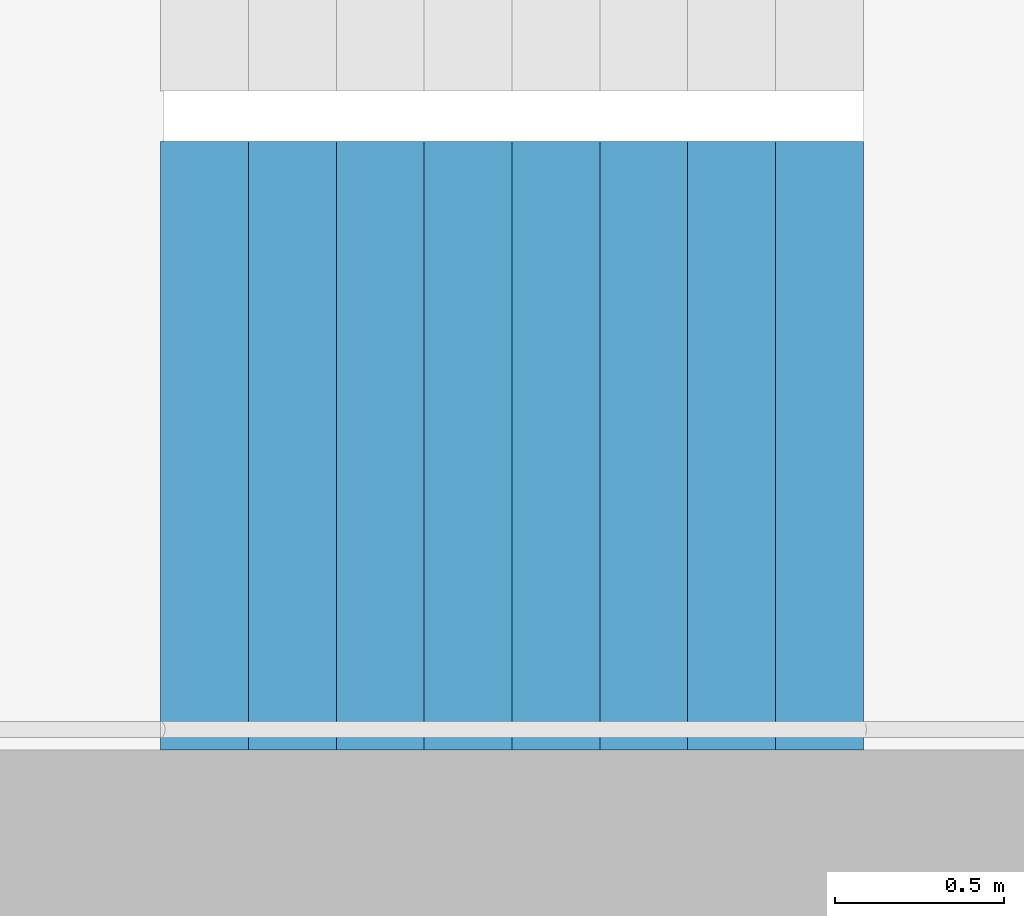
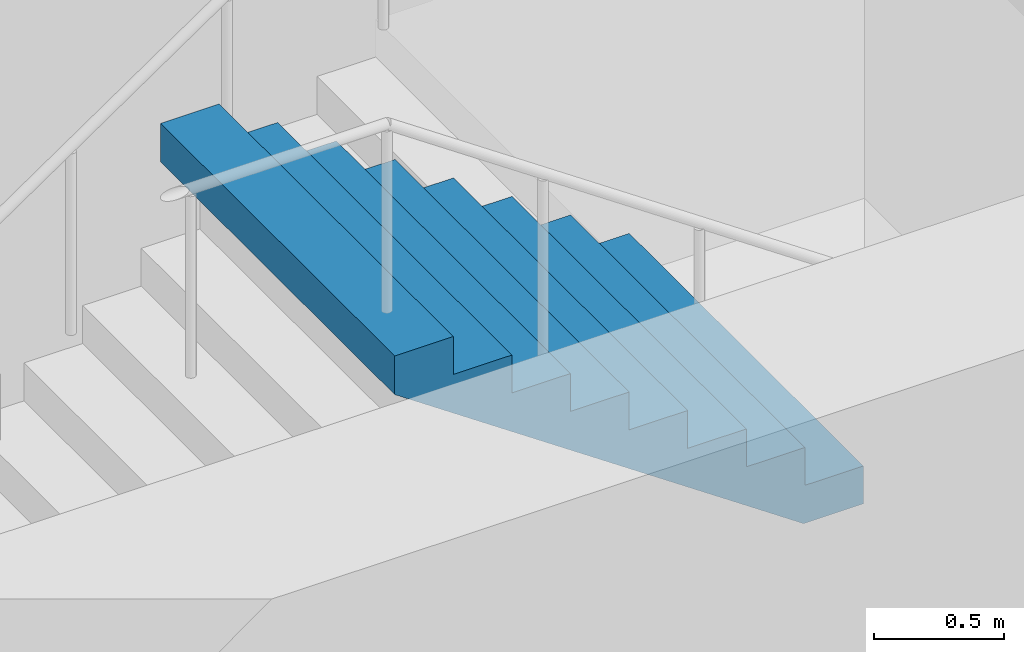
# One storey, part 37 of 42: 1 stair flight, 1 element without a shape of its own.
"""IFC4 building model written with IfcOpenShell, lengths in metres."""

from ifc_helpers import new_model, si_unit, direction, frame, origin, place, context, subcontext, project, spatial, triangles, material, type_object, element, aggregate, save


model = new_model("IFC4")

# Units and contexts
model_context = context("Model", 3, precision=1e-05, world=origin(), true_north=direction((0.0, 1.0)))
body_context = subcontext(model_context, "Body", "Model", "MODEL_VIEW")
ifc_project = project(units=[si_unit("LENGTHUNIT", "METRE"), si_unit("AREAUNIT", "SQUARE_METRE"), si_unit("VOLUMEUNIT", "CUBIC_METRE"), si_unit("PLANEANGLEUNIT", "RADIAN"), si_unit("MASSUNIT", "GRAM", prefix="KILO")], contexts=[model_context])

# Site, building, storey
site_placement = place(None, origin())
site = spatial("IfcSite", under=ifc_project, at=site_placement, CompositionType="ELEMENT")
building_placement = place(site_placement, origin())
building = spatial("IfcBuilding", under=site, at=building_placement, Name="Hakoniwa Tower and Hamabe Station Hall", CompositionType="ELEMENT")
storey_placement = place(building_placement, frame((0.0, 0.0, 19.800048828125)))
storey = spatial("IfcBuildingStorey", under=building, at=storey_placement, Name="L04", CompositionType="ELEMENT", Elevation=19.800048828125)

# Stair, stair flight
ifc_material_1 = material(Name="Concrete C40", Category="concrete")
stair_type = type_object("IfcStairType", Name="ESCAPE STAIR 1800", PredefinedType="HALF_TURN_STAIR", material=ifc_material_1)
stair_placement = place(storey_placement, origin())
stair = element("IfcStair", 1, at=stair_placement, inside=storey, type_object=stair_type, Name="Escape stair ST-4 L04", PredefinedType="HALF_TURN_STAIR")
ifc_material_2 = material(Name="Concrete C40", Category="concrete")
stair_flight_type = type_object("IfcStairFlightType", Name="STAIR FLIGHT 1800", PredefinedType="STRAIGHT", material=ifc_material_2)
stair_flight_placement = place(storey_placement, frame((25.47998046875, -6.60009765625, 1.599853515625), z_axis=(0.0, 0.0, 1.0), x_axis=(-1.0, 0.0, 0.0)))
stair_flight = element("IfcStairFlight", 2, at=stair_flight_placement, type_object=stair_flight_type, Name="ST-4 flight 2", NumberOfRisers=9, NumberOfTreads=8, PredefinedType="STRAIGHT", RiserHeight=0.177777778, TreadLength=0.26, context=body_context, shape_type="Tessellation", body=[
    triangles([(0.0, 0.89990234375, 0.0), (0.260009765625, 0.89990234375, 0.0), (0.265625, 0.89990234375, 0.0), (0.52001953125, 0.89990234375, 0.174072265625), (0.780029296875, 0.89990234375, 0.351806640625), (1.0400390625, 0.89990234375, 0.529541015625), (1.300048828125, 0.89990234375, 0.707275390625), (1.56005859375, 0.89990234375, 0.885009765625), (1.820068359375, 0.89990234375, 1.062744140625), (2.080078125, 0.89990234375, 1.24072265625), (2.080078125, 0.89990234375, 1.422119140625), (1.820068359375, 0.89990234375, 1.422119140625), (1.820068359375, 0.89990234375, 1.244384765625), (1.56005859375, 0.89990234375, 1.244384765625), (1.56005859375, 0.89990234375, 1.066650390625), (1.300048828125, 0.89990234375, 1.066650390625), (1.300048828125, 0.89990234375, 0.888916015625), (1.0400390625, 0.89990234375, 0.888916015625), (1.0400390625, 0.89990234375, 0.711181640625), (0.780029296875, 0.89990234375, 0.711181640625), (0.780029296875, 0.89990234375, 0.533447265625), (0.52001953125, 0.89990234375, 0.533447265625), (0.52001953125, 0.89990234375, 0.35546875), (0.265625, 0.89990234375, 0.35546875), (0.260009765625, 0.89990234375, 0.35546875), (0.260009765625, 0.89990234375, 0.177734375), (0.0, 0.89990234375, 0.177734375), (0.0, 0.06005859375, 0.0), (0.260009765625, 0.06005859375, 0.0), (0.265625, 0.06005859375, 0.0), (0.52001953125, 0.06005859375, 0.174072265625), (0.780029296875, 0.06005859375, 0.351806640625), (1.0400390625, 0.06005859375, 0.529541015625), (1.300048828125, 0.06005859375, 0.707275390625), (1.56005859375, 0.06005859375, 0.885009765625), (1.820068359375, 0.06005859375, 1.062744140625), (2.080078125, 0.06005859375, 1.24072265625), (2.080078125, 0.06005859375, 1.422119140625), (1.820068359375, 0.06005859375, 1.422119140625), (1.820068359375, 0.06005859375, 1.244384765625), (1.56005859375, 0.06005859375, 1.244384765625), (1.56005859375, 0.06005859375, 1.066650390625), (1.300048828125, 0.06005859375, 1.066650390625), (1.300048828125, 0.06005859375, 0.888916015625), (1.0400390625, 0.06005859375, 0.888916015625), (1.0400390625, 0.06005859375, 0.711181640625), (0.780029296875, 0.06005859375, 0.711181640625), (0.780029296875, 0.06005859375, 0.533447265625), (0.52001953125, 0.06005859375, 0.533447265625), (0.52001953125, 0.06005859375, 0.35546875), (0.265625, 0.06005859375, 0.35546875), (0.260009765625, 0.06005859375, 0.35546875), (0.260009765625, 0.06005859375, 0.177734375), (0.0, 0.06005859375, 0.177734375), (0.0, 0.04296875, 0.0), (0.260009765625, 0.04296875, 0.0), (0.265625, 0.04296875, 0.0), (0.52001953125, 0.04296875, 0.174072265625), (0.780029296875, 0.04296875, 0.351806640625), (1.0400390625, 0.04296875, 0.529541015625), (1.300048828125, 0.04296875, 0.707275390625), (1.56005859375, 0.04296875, 0.885009765625), (1.820068359375, 0.04296875, 1.062744140625), (2.080078125, 0.04296875, 1.24072265625), (2.080078125, 0.04296875, 1.422119140625), (1.820068359375, 0.04296875, 1.422119140625), (1.820068359375, 0.04296875, 1.244384765625), (1.56005859375, 0.04296875, 1.244384765625), (1.56005859375, 0.04296875, 1.066650390625), (1.300048828125, 0.04296875, 1.066650390625), (1.300048828125, 0.04296875, 0.888916015625), (1.0400390625, 0.04296875, 0.888916015625), (1.0400390625, 0.04296875, 0.711181640625), (0.780029296875, 0.04296875, 0.711181640625), (0.780029296875, 0.04296875, 0.533447265625), (0.52001953125, 0.04296875, 0.533447265625), (0.52001953125, 0.04296875, 0.35546875), (0.265625, 0.04296875, 0.35546875), (0.260009765625, 0.04296875, 0.35546875), (0.260009765625, 0.04296875, 0.177734375), (0.0, 0.04296875, 0.177734375), (0.0, 0.025634765625, 0.0), (0.260009765625, 0.025634765625, 0.0), (0.265625, 0.025634765625, 0.0), (0.52001953125, 0.025634765625, 0.174072265625), (0.780029296875, 0.025634765625, 0.351806640625), (1.0400390625, 0.025634765625, 0.529541015625), (1.300048828125, 0.025634765625, 0.707275390625), (1.56005859375, 0.025634765625, 0.885009765625), (1.820068359375, 0.025634765625, 1.062744140625), (2.080078125, 0.025634765625, 1.24072265625), (2.080078125, 0.025634765625, 1.422119140625), (1.820068359375, 0.025634765625, 1.422119140625), (1.820068359375, 0.025634765625, 1.244384765625), (1.56005859375, 0.025634765625, 1.244384765625), (1.56005859375, 0.025634765625, 1.066650390625), (1.300048828125, 0.025634765625, 1.066650390625), (1.300048828125, 0.025634765625, 0.888916015625), (1.0400390625, 0.025634765625, 0.888916015625), (1.0400390625, 0.025634765625, 0.711181640625), (0.780029296875, 0.025634765625, 0.711181640625), (0.780029296875, 0.025634765625, 0.533447265625), (0.52001953125, 0.025634765625, 0.533447265625), (0.52001953125, 0.025634765625, 0.35546875), (0.265625, 0.025634765625, 0.35546875), (0.260009765625, 0.025634765625, 0.35546875), (0.260009765625, 0.025634765625, 0.177734375), (0.0, 0.025634765625, 0.177734375), (0.0, 0.008544921875, 0.0), (0.260009765625, 0.008544921875, 0.0), (0.265625, 0.008544921875, 0.0), (0.52001953125, 0.008544921875, 0.174072265625), (0.780029296875, 0.008544921875, 0.351806640625), (1.0400390625, 0.008544921875, 0.529541015625), (1.300048828125, 0.008544921875, 0.707275390625), (1.56005859375, 0.008544921875, 0.885009765625), (1.820068359375, 0.008544921875, 1.062744140625), (2.080078125, 0.008544921875, 1.24072265625), (2.080078125, 0.008544921875, 1.422119140625), (1.820068359375, 0.008544921875, 1.422119140625), (1.820068359375, 0.008544921875, 1.244384765625), (1.56005859375, 0.008544921875, 1.244384765625), (1.56005859375, 0.008544921875, 1.066650390625), (1.300048828125, 0.008544921875, 1.066650390625), (1.300048828125, 0.008544921875, 0.888916015625), (1.0400390625, 0.008544921875, 0.888916015625), (1.0400390625, 0.008544921875, 0.711181640625), (0.780029296875, 0.008544921875, 0.711181640625), (0.780029296875, 0.008544921875, 0.533447265625), (0.52001953125, 0.008544921875, 0.533447265625), (0.52001953125, 0.008544921875, 0.35546875), (0.265625, 0.008544921875, 0.35546875), (0.260009765625, 0.008544921875, 0.35546875), (0.260009765625, 0.008544921875, 0.177734375), (0.0, 0.008544921875, 0.177734375), (0.0, -0.008544921875, 0.0), (0.260009765625, -0.008544921875, 0.0), (0.265625, -0.008544921875, 0.0), (0.52001953125, -0.008544921875, 0.174072265625), (0.780029296875, -0.008544921875, 0.351806640625), (1.0400390625, -0.008544921875, 0.529541015625), (1.300048828125, -0.008544921875, 0.707275390625), (1.56005859375, -0.008544921875, 0.885009765625), (1.820068359375, -0.008544921875, 1.062744140625), (2.080078125, -0.008544921875, 1.24072265625), (2.080078125, -0.008544921875, 1.422119140625), (1.820068359375, -0.008544921875, 1.422119140625), (1.820068359375, -0.008544921875, 1.244384765625), (1.56005859375, -0.008544921875, 1.244384765625), (1.56005859375, -0.008544921875, 1.066650390625), (1.300048828125, -0.008544921875, 1.066650390625), (1.300048828125, -0.008544921875, 0.888916015625), (1.0400390625, -0.008544921875, 0.888916015625), (1.0400390625, -0.008544921875, 0.711181640625), (0.780029296875, -0.008544921875, 0.711181640625), (0.780029296875, -0.008544921875, 0.533447265625), (0.52001953125, -0.008544921875, 0.533447265625), (0.52001953125, -0.008544921875, 0.35546875), (0.265625, -0.008544921875, 0.35546875), (0.260009765625, -0.008544921875, 0.35546875), (0.260009765625, -0.008544921875, 0.177734375), (0.0, -0.008544921875, 0.177734375), (0.0, -0.025634765625, 0.0), (0.260009765625, -0.025634765625, 0.0), (0.265625, -0.025634765625, 0.0), (0.52001953125, -0.025634765625, 0.174072265625), (0.780029296875, -0.025634765625, 0.351806640625), (1.0400390625, -0.025634765625, 0.529541015625), (1.300048828125, -0.025634765625, 0.707275390625), (1.56005859375, -0.025634765625, 0.885009765625), (1.820068359375, -0.025634765625, 1.062744140625), (2.080078125, -0.025634765625, 1.24072265625), (2.080078125, -0.025634765625, 1.422119140625), (1.820068359375, -0.025634765625, 1.422119140625), (1.820068359375, -0.025634765625, 1.244384765625), (1.56005859375, -0.025634765625, 1.244384765625), (1.56005859375, -0.025634765625, 1.066650390625), (1.300048828125, -0.025634765625, 1.066650390625), (1.300048828125, -0.025634765625, 0.888916015625), (1.0400390625, -0.025634765625, 0.888916015625), (1.0400390625, -0.025634765625, 0.711181640625), (0.780029296875, -0.025634765625, 0.711181640625), (0.780029296875, -0.025634765625, 0.533447265625), (0.52001953125, -0.025634765625, 0.533447265625), (0.52001953125, -0.025634765625, 0.35546875), (0.265625, -0.025634765625, 0.35546875), (0.260009765625, -0.025634765625, 0.35546875), (0.260009765625, -0.025634765625, 0.177734375), (0.0, -0.025634765625, 0.177734375), (0.0, -0.04296875, 0.0), (0.260009765625, -0.04296875, 0.0), (0.265625, -0.04296875, 0.0), (0.52001953125, -0.04296875, 0.174072265625), (0.780029296875, -0.04296875, 0.351806640625), (1.0400390625, -0.04296875, 0.529541015625), (1.300048828125, -0.04296875, 0.707275390625), (1.56005859375, -0.04296875, 0.885009765625), (1.820068359375, -0.04296875, 1.062744140625), (2.080078125, -0.04296875, 1.24072265625), (2.080078125, -0.04296875, 1.422119140625), (1.820068359375, -0.04296875, 1.422119140625), (1.820068359375, -0.04296875, 1.244384765625), (1.56005859375, -0.04296875, 1.244384765625), (1.56005859375, -0.04296875, 1.066650390625), (1.300048828125, -0.04296875, 1.066650390625), (1.300048828125, -0.04296875, 0.888916015625), (1.0400390625, -0.04296875, 0.888916015625), (1.0400390625, -0.04296875, 0.711181640625), (0.780029296875, -0.04296875, 0.711181640625), (0.780029296875, -0.04296875, 0.533447265625), (0.52001953125, -0.04296875, 0.533447265625), (0.52001953125, -0.04296875, 0.35546875), (0.265625, -0.04296875, 0.35546875), (0.260009765625, -0.04296875, 0.35546875), (0.260009765625, -0.04296875, 0.177734375), (0.0, -0.04296875, 0.177734375), (0.0, -0.06005859375, 0.0), (0.260009765625, -0.06005859375, 0.0), (0.265625, -0.06005859375, 0.0), (0.52001953125, -0.06005859375, 0.174072265625), (0.780029296875, -0.06005859375, 0.351806640625), (1.0400390625, -0.06005859375, 0.529541015625), (1.300048828125, -0.06005859375, 0.707275390625), (1.56005859375, -0.06005859375, 0.885009765625), (1.820068359375, -0.06005859375, 1.062744140625), (2.080078125, -0.06005859375, 1.24072265625), (2.080078125, -0.06005859375, 1.422119140625), (1.820068359375, -0.06005859375, 1.422119140625), (1.820068359375, -0.06005859375, 1.244384765625), (1.56005859375, -0.06005859375, 1.244384765625), (1.56005859375, -0.06005859375, 1.066650390625), (1.300048828125, -0.06005859375, 1.066650390625), (1.300048828125, -0.06005859375, 0.888916015625), (1.0400390625, -0.06005859375, 0.888916015625), (1.0400390625, -0.06005859375, 0.711181640625), (0.780029296875, -0.06005859375, 0.711181640625), (0.780029296875, -0.06005859375, 0.533447265625), (0.52001953125, -0.06005859375, 0.533447265625), (0.52001953125, -0.06005859375, 0.35546875), (0.265625, -0.06005859375, 0.35546875), (0.260009765625, -0.06005859375, 0.35546875), (0.260009765625, -0.06005859375, 0.177734375), (0.0, -0.06005859375, 0.177734375), (0.0, -0.89990234375, 0.0), (0.260009765625, -0.89990234375, 0.0), (0.265625, -0.89990234375, 0.0), (0.52001953125, -0.89990234375, 0.174072265625), (0.780029296875, -0.89990234375, 0.351806640625), (1.0400390625, -0.89990234375, 0.529541015625), (1.300048828125, -0.89990234375, 0.707275390625), (1.56005859375, -0.89990234375, 0.885009765625), (1.820068359375, -0.89990234375, 1.062744140625), (2.080078125, -0.89990234375, 1.24072265625), (2.080078125, -0.89990234375, 1.422119140625), (1.820068359375, -0.89990234375, 1.422119140625), (1.820068359375, -0.89990234375, 1.244384765625), (1.56005859375, -0.89990234375, 1.244384765625), (1.56005859375, -0.89990234375, 1.066650390625), (1.300048828125, -0.89990234375, 1.066650390625), (1.300048828125, -0.89990234375, 0.888916015625), (1.0400390625, -0.89990234375, 0.888916015625), (1.0400390625, -0.89990234375, 0.711181640625), (0.780029296875, -0.89990234375, 0.711181640625), (0.780029296875, -0.89990234375, 0.533447265625), (0.52001953125, -0.89990234375, 0.533447265625), (0.52001953125, -0.89990234375, 0.35546875), (0.265625, -0.89990234375, 0.35546875), (0.260009765625, -0.89990234375, 0.35546875), (0.260009765625, -0.89990234375, 0.177734375), (0.0, -0.89990234375, 0.177734375)], [[2, 27, 26], [245, 269, 270], [2, 1, 27], [245, 270, 244], [3, 25, 24], [246, 267, 268], [3, 26, 25], [246, 268, 269], [3, 2, 26], [246, 269, 245], [4, 24, 23], [247, 266, 267], [4, 3, 24], [247, 267, 246], [5, 22, 21], [248, 264, 265], [5, 23, 22], [248, 265, 266], [5, 4, 23], [248, 266, 247], [6, 20, 19], [249, 262, 263], [6, 21, 20], [249, 263, 264], [6, 5, 21], [249, 264, 248], [7, 18, 17], [250, 260, 261], [7, 19, 18], [250, 261, 262], [7, 6, 19], [250, 262, 249], [8, 16, 15], [251, 258, 259], [8, 17, 16], [251, 259, 260], [8, 7, 17], [251, 260, 250], [9, 14, 13], [252, 256, 257], [9, 15, 14], [252, 257, 258], [9, 8, 15], [252, 258, 251], [10, 12, 11], [253, 254, 255], [10, 13, 12], [253, 255, 256], [10, 9, 13], [253, 256, 252], [1, 2, 29], [1, 29, 28], [28, 29, 56], [28, 56, 55], [55, 56, 83], [55, 83, 82], [82, 83, 110], [82, 110, 109], [109, 110, 137], [109, 137, 136], [136, 137, 164], [136, 164, 163], [163, 164, 191], [163, 191, 190], [190, 191, 218], [190, 218, 217], [217, 218, 245], [217, 245, 244], [2, 3, 30], [2, 30, 29], [29, 30, 57], [29, 57, 56], [56, 57, 84], [56, 84, 83], [83, 84, 111], [83, 111, 110], [110, 111, 138], [110, 138, 137], [137, 138, 165], [137, 165, 164], [164, 165, 192], [164, 192, 191], [191, 192, 219], [191, 219, 218], [218, 219, 246], [218, 246, 245], [3, 4, 31], [3, 31, 30], [30, 31, 58], [30, 58, 57], [57, 58, 85], [57, 85, 84], [84, 85, 112], [84, 112, 111], [111, 112, 139], [111, 139, 138], [138, 139, 166], [138, 166, 165], [165, 166, 193], [165, 193, 192], [192, 193, 220], [192, 220, 219], [219, 220, 247], [219, 247, 246], [4, 5, 32], [4, 32, 31], [31, 32, 59], [31, 59, 58], [58, 59, 86], [58, 86, 85], [85, 86, 113], [85, 113, 112], [112, 113, 140], [112, 140, 139], [139, 140, 167], [139, 167, 166], [166, 167, 194], [166, 194, 193], [193, 194, 221], [193, 221, 220], [220, 221, 248], [220, 248, 247], [5, 6, 33], [5, 33, 32], [32, 33, 60], [32, 60, 59], [59, 60, 87], [59, 87, 86], [86, 87, 114], [86, 114, 113], [113, 114, 141], [113, 141, 140], [140, 141, 168], [140, 168, 167], [167, 168, 195], [167, 195, 194], [194, 195, 222], [194, 222, 221], [221, 222, 249], [221, 249, 248], [6, 7, 34], [6, 34, 33], [33, 34, 61], [33, 61, 60], [60, 61, 88], [60, 88, 87], [87, 88, 115], [87, 115, 114], [114, 115, 142], [114, 142, 141], [141, 142, 169], [141, 169, 168], [168, 169, 196], [168, 196, 195], [195, 196, 223], [195, 223, 222], [222, 223, 250], [222, 250, 249], [7, 8, 35], [7, 35, 34], [34, 35, 62], [34, 62, 61], [61, 62, 89], [61, 89, 88], [88, 89, 116], [88, 116, 115], [115, 116, 143], [115, 143, 142], [142, 143, 170], [142, 170, 169], [169, 170, 197], [169, 197, 196], [196, 197, 224], [196, 224, 223], [223, 224, 251], [223, 251, 250], [8, 9, 36], [8, 36, 35], [35, 36, 63], [35, 63, 62], [62, 63, 90], [62, 90, 89], [89, 90, 117], [89, 117, 116], [116, 117, 144], [116, 144, 143], [143, 144, 171], [143, 171, 170], [170, 171, 198], [170, 198, 197], [197, 198, 225], [197, 225, 224], [224, 225, 252], [224, 252, 251], [9, 10, 37], [9, 37, 36], [36, 37, 64], [36, 64, 63], [63, 64, 91], [63, 91, 90], [90, 91, 118], [90, 118, 117], [117, 118, 145], [117, 145, 144], [144, 145, 172], [144, 172, 171], [171, 172, 199], [171, 199, 198], [198, 199, 226], [198, 226, 225], [225, 226, 253], [225, 253, 252], [10, 11, 38], [10, 38, 37], [37, 38, 65], [37, 65, 64], [64, 65, 92], [64, 92, 91], [91, 92, 119], [91, 119, 118], [118, 119, 146], [118, 146, 145], [145, 146, 173], [145, 173, 172], [172, 173, 200], [172, 200, 199], [199, 200, 227], [199, 227, 226], [226, 227, 254], [226, 254, 253], [11, 12, 39], [11, 39, 38], [38, 39, 66], [38, 66, 65], [65, 66, 93], [65, 93, 92], [92, 93, 120], [92, 120, 119], [119, 120, 147], [119, 147, 146], [146, 147, 174], [146, 174, 173], [173, 174, 201], [173, 201, 200], [200, 201, 228], [200, 228, 227], [227, 228, 255], [227, 255, 254], [12, 13, 40], [12, 40, 39], [39, 40, 67], [39, 67, 66], [66, 67, 94], [66, 94, 93], [93, 94, 121], [93, 121, 120], [120, 121, 148], [120, 148, 147], [147, 148, 175], [147, 175, 174], [174, 175, 202], [174, 202, 201], [201, 202, 229], [201, 229, 228], [228, 229, 256], [228, 256, 255], [13, 14, 41], [13, 41, 40], [40, 41, 68], [40, 68, 67], [67, 68, 95], [67, 95, 94], [94, 95, 122], [94, 122, 121], [121, 122, 149], [121, 149, 148], [148, 149, 176], [148, 176, 175], [175, 176, 203], [175, 203, 202], [202, 203, 230], [202, 230, 229], [229, 230, 257], [229, 257, 256], [14, 15, 42], [14, 42, 41], [41, 42, 69], [41, 69, 68], [68, 69, 96], [68, 96, 95], [95, 96, 123], [95, 123, 122], [122, 123, 150], [122, 150, 149], [149, 150, 177], [149, 177, 176], [176, 177, 204], [176, 204, 203], [203, 204, 231], [203, 231, 230], [230, 231, 258], [230, 258, 257], [15, 16, 43], [15, 43, 42], [42, 43, 70], [42, 70, 69], [69, 70, 97], [69, 97, 96], [96, 97, 124], [96, 124, 123], [123, 124, 151], [123, 151, 150], [150, 151, 178], [150, 178, 177], [177, 178, 205], [177, 205, 204], [204, 205, 232], [204, 232, 231], [231, 232, 259], [231, 259, 258], [16, 17, 44], [16, 44, 43], [43, 44, 71], [43, 71, 70], [70, 71, 98], [70, 98, 97], [97, 98, 125], [97, 125, 124], [124, 125, 152], [124, 152, 151], [151, 152, 179], [151, 179, 178], [178, 179, 206], [178, 206, 205], [205, 206, 233], [205, 233, 232], [232, 233, 260], [232, 260, 259], [17, 18, 45], [17, 45, 44], [44, 45, 72], [44, 72, 71], [71, 72, 99], [71, 99, 98], [98, 99, 126], [98, 126, 125], [125, 126, 153], [125, 153, 152], [152, 153, 180], [152, 180, 179], [179, 180, 207], [179, 207, 206], [206, 207, 234], [206, 234, 233], [233, 234, 261], [233, 261, 260], [18, 19, 46], [18, 46, 45], [45, 46, 73], [45, 73, 72], [72, 73, 100], [72, 100, 99], [99, 100, 127], [99, 127, 126], [126, 127, 154], [126, 154, 153], [153, 154, 181], [153, 181, 180], [180, 181, 208], [180, 208, 207], [207, 208, 235], [207, 235, 234], [234, 235, 262], [234, 262, 261], [19, 20, 47], [19, 47, 46], [46, 47, 74], [46, 74, 73], [73, 74, 101], [73, 101, 100], [100, 101, 128], [100, 128, 127], [127, 128, 155], [127, 155, 154], [154, 155, 182], [154, 182, 181], [181, 182, 209], [181, 209, 208], [208, 209, 236], [208, 236, 235], [235, 236, 263], [235, 263, 262], [20, 21, 48], [20, 48, 47], [47, 48, 75], [47, 75, 74], [74, 75, 102], [74, 102, 101], [101, 102, 129], [101, 129, 128], [128, 129, 156], [128, 156, 155], [155, 156, 183], [155, 183, 182], [182, 183, 210], [182, 210, 209], [209, 210, 237], [209, 237, 236], [236, 237, 264], [236, 264, 263], [21, 22, 49], [21, 49, 48], [48, 49, 76], [48, 76, 75], [75, 76, 103], [75, 103, 102], [102, 103, 130], [102, 130, 129], [129, 130, 157], [129, 157, 156], [156, 157, 184], [156, 184, 183], [183, 184, 211], [183, 211, 210], [210, 211, 238], [210, 238, 237], [237, 238, 265], [237, 265, 264], [22, 23, 50], [22, 50, 49], [49, 50, 77], [49, 77, 76], [76, 77, 104], [76, 104, 103], [103, 104, 131], [103, 131, 130], [130, 131, 158], [130, 158, 157], [157, 158, 185], [157, 185, 184], [184, 185, 212], [184, 212, 211], [211, 212, 239], [211, 239, 238], [238, 239, 266], [238, 266, 265], [23, 24, 51], [23, 51, 50], [50, 51, 78], [50, 78, 77], [77, 78, 105], [77, 105, 104], [104, 105, 132], [104, 132, 131], [131, 132, 159], [131, 159, 158], [158, 159, 186], [158, 186, 185], [185, 186, 213], [185, 213, 212], [212, 213, 240], [212, 240, 239], [239, 240, 267], [239, 267, 266], [24, 25, 52], [24, 52, 51], [51, 52, 79], [51, 79, 78], [78, 79, 106], [78, 106, 105], [105, 106, 133], [105, 133, 132], [132, 133, 160], [132, 160, 159], [159, 160, 187], [159, 187, 186], [186, 187, 214], [186, 214, 213], [213, 214, 241], [213, 241, 240], [240, 241, 268], [240, 268, 267], [25, 26, 53], [25, 53, 52], [52, 53, 80], [52, 80, 79], [79, 80, 107], [79, 107, 106], [106, 107, 134], [106, 134, 133], [133, 134, 161], [133, 161, 160], [160, 161, 188], [160, 188, 187], [187, 188, 215], [187, 215, 214], [214, 215, 242], [214, 242, 241], [241, 242, 269], [241, 269, 268], [26, 27, 54], [26, 54, 53], [53, 54, 81], [53, 81, 80], [80, 81, 108], [80, 108, 107], [107, 108, 135], [107, 135, 134], [134, 135, 162], [134, 162, 161], [161, 162, 189], [161, 189, 188], [188, 189, 216], [188, 216, 215], [215, 216, 243], [215, 243, 242], [242, 243, 270], [242, 270, 269], [27, 1, 28], [27, 28, 54], [54, 28, 55], [54, 55, 81], [81, 55, 82], [81, 82, 108], [108, 82, 109], [108, 109, 135], [135, 109, 136], [135, 136, 162], [162, 136, 163], [162, 163, 189], [189, 163, 190], [189, 190, 216], [216, 190, 217], [216, 217, 243], [243, 217, 244], [243, 244, 270]], closed=True),
])
aggregate(stair, [stair_flight])

save(model, "model.ifc")
